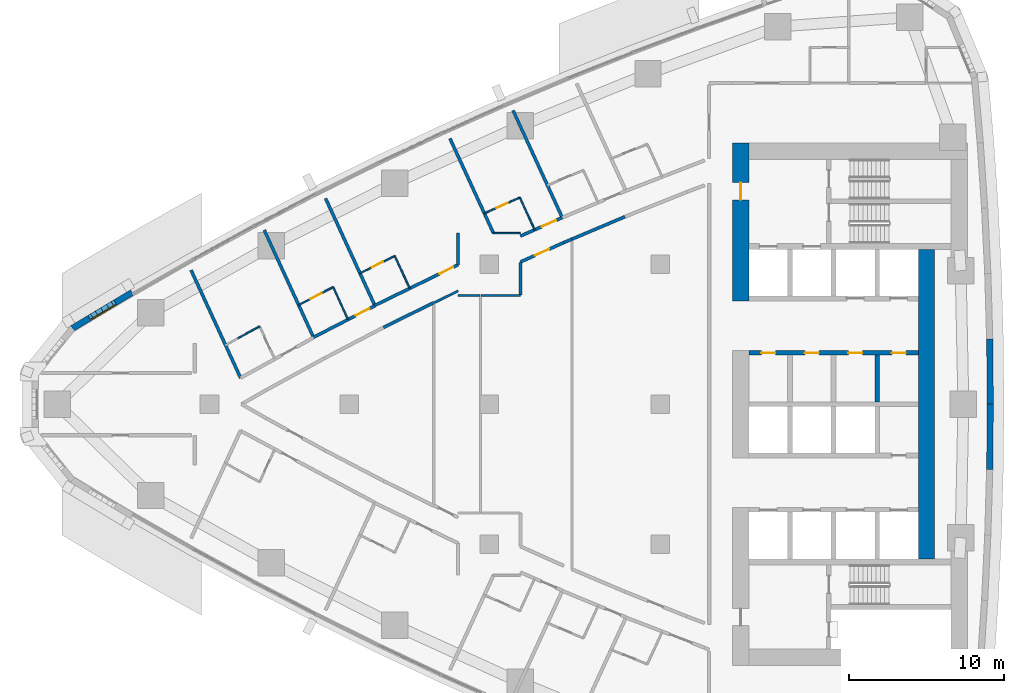
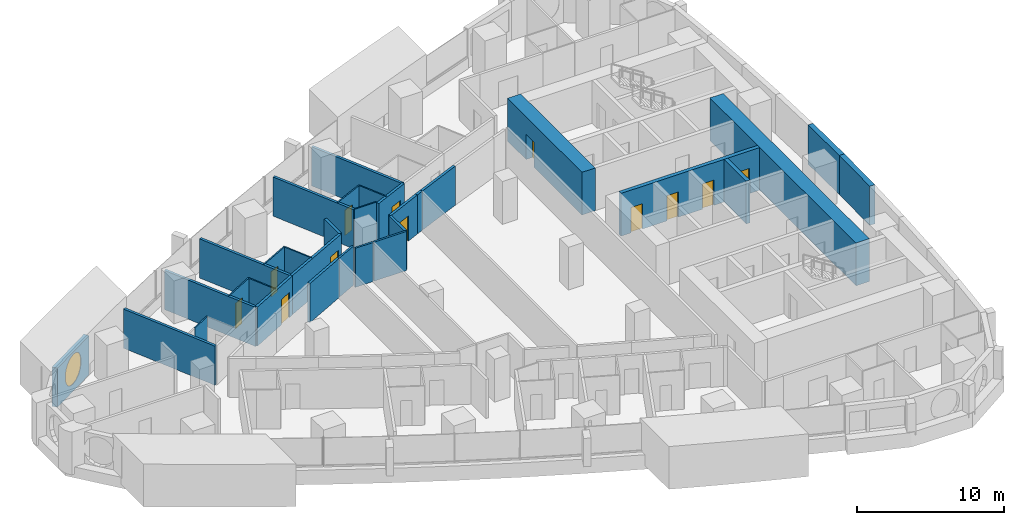
# One storey, part 11 of 17: 32 walls, 12 doors, 1 window, 13 openings.
"""IFC4 building model written with IfcOpenShell, lengths in metres."""

from ifc_helpers import new_model, si_unit, direction, frame, frame_2d, origin, place, context, subcontext, project, spatial, polyline, rectangle, outline, extrude, material, layer, layer_set, type_object, element, fill, save


model = new_model("IFC4")

# Units and contexts
model_context = context("Model", 3, precision=1e-05, world=origin(), true_north=direction((0.0, 1.0)))
body_context = subcontext(model_context, "Body", "Model", "MODEL_VIEW")
ifc_project = project(units=[si_unit("LENGTHUNIT", "METRE"), si_unit("AREAUNIT", "SQUARE_METRE"), si_unit("VOLUMEUNIT", "CUBIC_METRE"), si_unit("PLANEANGLEUNIT", "RADIAN"), si_unit("MASSUNIT", "GRAM", prefix="KILO")], contexts=[model_context])

# Site, building, storey
site_placement = place(None, origin())
site = spatial("IfcSite", under=ifc_project, at=site_placement, CompositionType="ELEMENT")
building_placement = place(site_placement, origin())
building = spatial("IfcBuilding", under=site, at=building_placement, Name="Ostrand Prow Hotel Tower", CompositionType="ELEMENT")
storey_placement = place(building_placement, frame((0.0, 0.0, 84.89990234375)))
storey = spatial("IfcBuildingStorey", under=building, at=storey_placement, Name="L19", CompositionType="ELEMENT", Elevation=84.89990234375)

# Wall, opening, door
ifc_material_1 = material(Name="Concrete C80/95", Category="concrete")
ifc_layer_1 = layer(ifc_material_1, 1.050048828125)
ifc_layer_set_1 = layer_set([ifc_layer_1], Name="Concrete C80/95")
wall_type_1 = type_object("IfcWallType", Name="Core wall 1050 C80/95", PredefinedType="SHEAR", material=ifc_layer_set_1)
wall_1_placement = place(storey_placement, frame((50.175048828125, 6.64990234375, 0.0), z_axis=(0.0, 0.0, 1.0), x_axis=(0.0, 1.0, 0.0)))
wall_1 = element("IfcWall", 1, at=wall_1_placement, inside=storey, type_object=wall_type_1, Name="Core wall CW-W-N", PredefinedType="SHEAR", context=body_context, shape_type="SweptSolid", body=[
    extrude(rectangle(XDim=10.150146484375, YDim=1.050048828125, at=frame_2d((5.0751953125, 0.0))), origin(), (0.0, 0.0, 1.0), 3.550048828125),
])
opening_1_placement = place(wall_1_placement, frame((6.5, 0.0, 0.0)))
opening_1 = element("IfcOpeningElement", 2, at=opening_1_placement, cuts=wall_1, Name="Opening FD1", PredefinedType="OPENING", context=body_context, shape_type="SweptSolid", body=[
    extrude(rectangle(XDim=1.10009765625, YDim=2.10009765625, at=frame_2d((0.550048828125, 1.050048828125))), frame((0.0, 0.534912109375, 0.0), z_axis=(0.0, -1.0, 0.0), x_axis=(1.0, 0.0, 0.0)), (0.0, 0.0, 1.0), 1.070068359375),
])
ifc_material_2 = material(Name="Steel fire door", Category="steel")
door_type_1 = type_object("IfcDoorType", Name="Fire door 1100 EI120", OperationType="SINGLE_SWING_RIGHT", PredefinedType="DOOR", material=ifc_material_2)
door_1_placement = place(opening_1_placement, origin())
door_1 = element("IfcDoor", 3, at=door_1_placement, inside=storey, type_object=door_type_1, Name="FIRE DOOR", OperationType="SINGLE_SWING_RIGHT", OverallHeight=2.10009765625, OverallWidth=1.10009765625, PredefinedType="DOOR", context=body_context, shape_type="SweptSolid", body=[
    extrude(rectangle(XDim=1.10009765625, YDim=2.10009765625, at=frame_2d((0.550048828125, 1.050048828125))), frame((0.0, 0.02490234375, 0.0), z_axis=(0.0, -1.0, 0.0), x_axis=(1.0, 0.0, 0.0)), (0.0, 0.0, 1.0), 0.050048828125),
])
fill(opening_1, door_1)

# Wall
wall_2_placement = place(storey_placement, frame((62.125, -9.949951171875, 0.0), z_axis=(0.0, 0.0, 1.0), x_axis=(0.0, 1.0, 0.0)))
element("IfcWall", 4, at=wall_2_placement, inside=storey, type_object=wall_type_1, Name="Core wall CW-E-C", PredefinedType="SHEAR", context=body_context, shape_type="SweptSolid", body=[
    extrude(rectangle(XDim=19.89990234375, YDim=1.050048828125, at=frame_2d((9.949951171875, 0.0))), origin(), (0.0, 0.0, 1.0), 3.550048828125),
])

# Wall, openings, doors
ifc_material_3 = material(Name="Concrete C80/95", Category="concrete")
ifc_layer_2 = layer(ifc_material_3, 0.300048828125)
ifc_layer_set_2 = layer_set([ifc_layer_2], Name="Concrete C80/95")
wall_type_2 = type_object("IfcWallType", Name="Core wall 300 C80/95", PredefinedType="SHEAR", material=ifc_layer_set_2)
wall_3_placement = place(storey_placement, frame((50.699951171875, 3.300048828125, 0.0), z_axis=(0.0, 0.0, 1.0), x_axis=(1.0, 0.0, 0.0)))
wall_3 = element("IfcWall", 5, at=wall_3_placement, inside=storey, type_object=wall_type_2, Name="Core wall PW-L1-N", PredefinedType="SHEAR", context=body_context, shape_type="SweptSolid", body=[
    extrude(rectangle(XDim=10.900146484375, YDim=0.300048828125, at=frame_2d((5.4501953125, 0.0))), origin(), (0.0, 0.0, 1.0), 3.550048828125),
])
opening_2_placement = place(wall_3_placement, frame((0.800048828125, 0.0, 0.0)))
opening_2 = element("IfcOpeningElement", 6, at=opening_2_placement, cuts=wall_3, Name="Opening FD2", PredefinedType="OPENING", context=body_context, shape_type="SweptSolid", body=[
    extrude(rectangle(XDim=0.89990234375, YDim=2.10009765625, at=frame_2d((0.449951171875, 1.050048828125))), frame((0.0, 0.159912109375, 0.0), z_axis=(0.0, -1.0, 0.0), x_axis=(1.0, 0.0, 0.0)), (0.0, 0.0, 1.0), 0.320068359375),
])
opening_3_placement = place(wall_3_placement, frame((3.60009765625, 0.0, 0.0)))
opening_3 = element("IfcOpeningElement", 7, at=opening_3_placement, cuts=wall_3, Name="Opening FD2", PredefinedType="OPENING", context=body_context, shape_type="SweptSolid", body=[
    extrude(rectangle(XDim=0.89990234375, YDim=2.10009765625, at=frame_2d((0.449951171875, 1.050048828125))), frame((0.0, 0.159912109375, 0.0), z_axis=(0.0, -1.0, 0.0), x_axis=(1.0, 0.0, 0.0)), (0.0, 0.0, 1.0), 0.320068359375),
])
opening_4_placement = place(wall_3_placement, frame((6.39990234375, 0.0, 0.0)))
opening_4 = element("IfcOpeningElement", 8, at=opening_4_placement, cuts=wall_3, Name="Opening FD2", PredefinedType="OPENING", context=body_context, shape_type="SweptSolid", body=[
    extrude(rectangle(XDim=0.89990234375, YDim=2.10009765625, at=frame_2d((0.449951171875, 1.050048828125))), frame((0.0, 0.159912109375, 0.0), z_axis=(0.0, -1.0, 0.0), x_axis=(1.0, 0.0, 0.0)), (0.0, 0.0, 1.0), 0.320068359375),
])
opening_5_placement = place(wall_3_placement, frame((9.199951171875, 0.0, 0.0)))
opening_5 = element("IfcOpeningElement", 9, at=opening_5_placement, cuts=wall_3, Name="Opening FD2", PredefinedType="OPENING", context=body_context, shape_type="SweptSolid", body=[
    extrude(rectangle(XDim=0.89990234375, YDim=2.10009765625, at=frame_2d((0.449951171875, 1.050048828125))), frame((0.0, 0.159912109375, 0.0), z_axis=(0.0, -1.0, 0.0), x_axis=(1.0, 0.0, 0.0)), (0.0, 0.0, 1.0), 0.320068359375),
])
ifc_material_4 = material(Name="Steel fire door", Category="steel")
door_type_2 = type_object("IfcDoorType", Name="Fire door 900 EI120", OperationType="SINGLE_SWING_LEFT", PredefinedType="DOOR", material=ifc_material_4)
door_2_placement = place(opening_2_placement, origin())
door_2 = element("IfcDoor", 10, at=door_2_placement, inside=storey, type_object=door_type_2, Name="DOOR", OperationType="SINGLE_SWING_LEFT", OverallHeight=2.10009765625, OverallWidth=0.89990234375, PredefinedType="DOOR", context=body_context, shape_type="SweptSolid", body=[
    extrude(rectangle(XDim=0.89990234375, YDim=2.10009765625, at=frame_2d((0.449951171875, 1.050048828125))), frame((0.0, 0.02490234375, 0.0), z_axis=(0.0, -1.0, 0.0), x_axis=(1.0, 0.0, 0.0)), (0.0, 0.0, 1.0), 0.050048828125),
])
fill(opening_2, door_2)
door_3_placement = place(opening_3_placement, origin())
door_3 = element("IfcDoor", 11, at=door_3_placement, inside=storey, type_object=door_type_2, Name="DOOR", OperationType="SINGLE_SWING_LEFT", OverallHeight=2.10009765625, OverallWidth=0.89990234375, PredefinedType="DOOR", context=body_context, shape_type="SweptSolid", body=[
    extrude(rectangle(XDim=0.89990234375, YDim=2.10009765625, at=frame_2d((0.449951171875, 1.050048828125))), frame((0.0, 0.02490234375, 0.0), z_axis=(0.0, -1.0, 0.0), x_axis=(1.0, 0.0, 0.0)), (0.0, 0.0, 1.0), 0.050048828125),
])
fill(opening_3, door_3)
door_4_placement = place(opening_4_placement, origin())
door_4 = element("IfcDoor", 12, at=door_4_placement, inside=storey, type_object=door_type_2, Name="DOOR", OperationType="SINGLE_SWING_LEFT", OverallHeight=2.10009765625, OverallWidth=0.89990234375, PredefinedType="DOOR", context=body_context, shape_type="SweptSolid", body=[
    extrude(rectangle(XDim=0.89990234375, YDim=2.10009765625, at=frame_2d((0.449951171875, 1.050048828125))), frame((0.0, 0.02490234375, 0.0), z_axis=(0.0, -1.0, 0.0), x_axis=(1.0, 0.0, 0.0)), (0.0, 0.0, 1.0), 0.050048828125),
])
fill(opening_4, door_4)
door_5_placement = place(opening_5_placement, origin())
door_5 = element("IfcDoor", 13, at=door_5_placement, inside=storey, type_object=door_type_2, Name="DOOR", OperationType="SINGLE_SWING_LEFT", OverallHeight=2.10009765625, OverallWidth=0.89990234375, PredefinedType="DOOR", context=body_context, shape_type="SweptSolid", body=[
    extrude(rectangle(XDim=0.89990234375, YDim=2.10009765625, at=frame_2d((0.449951171875, 1.050048828125))), frame((0.0, 0.02490234375, 0.0), z_axis=(0.0, -1.0, 0.0), x_axis=(1.0, 0.0, 0.0)), (0.0, 0.0, 1.0), 0.050048828125),
])
fill(opening_5, door_5)

# Walls
wall_4_placement = place(storey_placement, frame((58.949951171875, 0.14990234375, 0.0), z_axis=(0.0, 0.0, 1.0), x_axis=(0.0, 1.0, 0.0)))
element("IfcWall", 14, at=wall_4_placement, inside=storey, type_object=wall_type_2, Name="Core wall PW-R3-NB", PredefinedType="SHEAR", context=body_context, shape_type="SweptSolid", body=[
    extrude(rectangle(XDim=3.0, YDim=0.300048828125, at=frame_2d((1.5, 0.0))), origin(), (0.0, 0.0, 1.0), 3.550048828125),
])
ifc_material_5 = material(Name="Plasterboard partition")
ifc_layer_3 = layer(ifc_material_5, 0.10009765625)
ifc_layer_set_3 = layer_set([ifc_layer_3], Name="Plasterboard partition")
wall_type_3 = type_object("IfcWallType", Name="Partition 100 bathroom wall", PredefinedType="PARTITIONING", material=ifc_layer_set_3)
wall_5_placement = place(storey_placement, frame((17.80126953125, 4.228515625, 0.0), z_axis=(0.0, 0.0, 1.0), x_axis=(0.877424481957, 0.479714788663, 0.0)))
element("IfcWall", 15, at=wall_5_placement, inside=storey, type_object=wall_type_3, Name="BATHROOM WALL", PredefinedType="PARTITIONING", context=body_context, shape_type="SweptSolid", body=[
    extrude(rectangle(XDim=1.62548828125, YDim=0.10009765625, at=frame_2d((0.812744140625, 0.0))), origin(), (0.0, 0.0, 1.0), 3.25),
])

# Wall, opening, door
wall_6_placement = place(storey_placement, frame((21.737548828125, 6.377197265625, 0.0), z_axis=(0.0, 0.0, 1.0), x_axis=(0.886911586599, 0.461939214135, 0.0)))
wall_6 = element("IfcWall", 16, at=wall_6_placement, inside=storey, type_object=wall_type_3, Name="BATHROOM WALL", PredefinedType="PARTITIONING", context=body_context, shape_type="SweptSolid", body=[
    extrude(rectangle(XDim=2.5029296875, YDim=0.10009765625, at=frame_2d((1.25146484375, 0.0))), origin(), (0.0, 0.0, 1.0), 3.25),
])
opening_6_placement = place(wall_6_placement, frame((0.85009765625, 0.0, 0.0)))
opening_6 = element("IfcOpeningElement", 17, at=opening_6_placement, cuts=wall_6, Name="Opening D2", PredefinedType="OPENING", context=body_context, shape_type="SweptSolid", body=[
    extrude(rectangle(XDim=0.800048828125, YDim=2.10009765625, at=frame_2d((0.39990234375, 1.050048828125))), frame((0.0, 0.06005859375, 0.0), z_axis=(0.0, -1.0, 0.0), x_axis=(1.0, 0.0, 0.0)), (0.0, 0.0, 1.0), 0.1201171875),
])
ifc_material_6 = material(Name="Timber door leaf", Category="wood")
door_type_3 = type_object("IfcDoorType", Name="Bathroom door 800", OperationType="SINGLE_SWING_LEFT", PredefinedType="DOOR", material=ifc_material_6)
door_6_placement = place(opening_6_placement, origin())
door_6 = element("IfcDoor", 18, at=door_6_placement, inside=storey, type_object=door_type_3, Name="DOOR", OperationType="SINGLE_SWING_LEFT", OverallHeight=2.10009765625, OverallWidth=0.800048828125, PredefinedType="DOOR", context=body_context, shape_type="SweptSolid", body=[
    extrude(rectangle(XDim=0.800048828125, YDim=2.10009765625, at=frame_2d((0.39990234375, 1.050048828125))), frame((0.0, 0.02490234375, 0.0), z_axis=(0.0, -1.0, 0.0), x_axis=(1.0, 0.0, 0.0)), (0.0, 0.0, 1.0), 0.050048828125),
])
fill(opening_6, door_6)

# Wall
wall_7_placement = place(storey_placement, frame((23.95751953125, 7.533447265625, 0.0), z_axis=(0.0, 0.0, 1.0), x_axis=(0.417454762401, -0.908697706253, 0.0)))
element("IfcWall", 19, at=wall_7_placement, inside=storey, type_object=wall_type_3, Name="BATHROOM WALL", PredefinedType="PARTITIONING", context=body_context, shape_type="SweptSolid", body=[
    extrude(rectangle(XDim=2.27978515625, YDim=0.10009765625, at=frame_2d((1.139892578125, 0.0))), origin(), (0.0, 0.0, 1.0), 3.25),
])

# Wall, opening, door
wall_8_placement = place(storey_placement, frame((25.680908203125, 8.42578125, 0.0), z_axis=(0.0, 0.0, 1.0), x_axis=(0.895944857815, 0.444165297784, 0.0)))
wall_8 = element("IfcWall", 20, at=wall_8_placement, inside=storey, type_object=wall_type_3, Name="BATHROOM WALL", PredefinedType="PARTITIONING", context=body_context, shape_type="SweptSolid", body=[
    extrude(rectangle(XDim=2.5009765625, YDim=0.10009765625, at=frame_2d((1.25048828125, 0.0))), origin(), (0.0, 0.0, 1.0), 3.25),
])
opening_7_placement = place(wall_8_placement, frame((0.85009765625, 0.0, 0.0)))
opening_7 = element("IfcOpeningElement", 21, at=opening_7_placement, cuts=wall_8, Name="Opening D2", PredefinedType="OPENING", context=body_context, shape_type="SweptSolid", body=[
    extrude(rectangle(XDim=0.800048828125, YDim=2.10009765625, at=frame_2d((0.39990234375, 1.050048828125))), frame((0.0, 0.06005859375, 0.0), z_axis=(0.0, -1.0, 0.0), x_axis=(1.0, 0.0, 0.0)), (0.0, 0.0, 1.0), 0.1201171875),
])
door_7_placement = place(opening_7_placement, origin())
door_7 = element("IfcDoor", 22, at=door_7_placement, inside=storey, type_object=door_type_3, Name="DOOR", OperationType="SINGLE_SWING_LEFT", OverallHeight=2.10009765625, OverallWidth=0.800048828125, PredefinedType="DOOR", context=body_context, shape_type="SweptSolid", body=[
    extrude(rectangle(XDim=0.800048828125, YDim=2.10009765625, at=frame_2d((0.39990234375, 1.050048828125))), frame((0.0, 0.02490234375, 0.0), z_axis=(0.0, -1.0, 0.0), x_axis=(1.0, 0.0, 0.0)), (0.0, 0.0, 1.0), 0.050048828125),
])
fill(opening_7, door_7)

# Wall
wall_9_placement = place(storey_placement, frame((27.921630859375, 9.53662109375, 0.0), z_axis=(0.0, 0.0, 1.0), x_axis=(0.417433204355, -0.908707609686, 0.0)))
element("IfcWall", 23, at=wall_9_placement, inside=storey, type_object=wall_type_3, Name="BATHROOM WALL", PredefinedType="PARTITIONING", context=body_context, shape_type="SweptSolid", body=[
    extrude(rectangle(XDim=2.278076171875, YDim=0.10009765625, at=frame_2d((1.13916015625, 0.0))), origin(), (0.0, 0.0, 1.0), 3.25),
])

# Wall, opening, door
wall_10_placement = place(storey_placement, frame((33.68408203125, 12.277099609375, 0.0), z_axis=(0.0, 0.0, 1.0), x_axis=(0.913016449487, 0.407922741417, 0.0)))
wall_10 = element("IfcWall", 24, at=wall_10_placement, inside=storey, type_object=wall_type_3, Name="BATHROOM WALL", PredefinedType="PARTITIONING", context=body_context, shape_type="SweptSolid", body=[
    extrude(rectangle(XDim=2.5, YDim=0.10009765625, at=frame_2d((1.25, 0.0))), origin(), (0.0, 0.0, 1.0), 3.25),
])
opening_8_placement = place(wall_10_placement, frame((0.85009765625, 0.0, 0.0)))
opening_8 = element("IfcOpeningElement", 25, at=opening_8_placement, cuts=wall_10, Name="Opening D2", PredefinedType="OPENING", context=body_context, shape_type="SweptSolid", body=[
    extrude(rectangle(XDim=0.800048828125, YDim=2.10009765625, at=frame_2d((0.39990234375, 1.050048828125))), frame((0.0, 0.06005859375, 0.0), z_axis=(0.0, -1.0, 0.0), x_axis=(1.0, 0.0, 0.0)), (0.0, 0.0, 1.0), 0.1201171875),
])
door_8_placement = place(opening_8_placement, origin())
door_8 = element("IfcDoor", 26, at=door_8_placement, inside=storey, type_object=door_type_3, Name="DOOR", OperationType="SINGLE_SWING_LEFT", OverallHeight=2.10009765625, OverallWidth=0.800048828125, PredefinedType="DOOR", context=body_context, shape_type="SweptSolid", body=[
    extrude(rectangle(XDim=0.800048828125, YDim=2.10009765625, at=frame_2d((0.39990234375, 1.050048828125))), frame((0.0, 0.02490234375, 0.0), z_axis=(0.0, -1.0, 0.0), x_axis=(1.0, 0.0, 0.0)), (0.0, 0.0, 1.0), 0.050048828125),
])
fill(opening_8, door_8)

# Walls
wall_11_placement = place(storey_placement, frame((35.966796875, 13.296875, 0.0), z_axis=(0.0, 0.0, 1.0), x_axis=(0.417378147321, -0.908732899228, 0.0)))
element("IfcWall", 27, at=wall_11_placement, inside=storey, type_object=wall_type_3, Name="BATHROOM WALL", PredefinedType="PARTITIONING", context=body_context, shape_type="SweptSolid", body=[
    extrude(rectangle(XDim=2.277099609375, YDim=0.10009765625, at=frame_2d((1.138671875, 0.0))), origin(), (0.0, 0.0, 1.0), 3.25),
])
wall_12_placement = place(storey_placement, frame((36.00048828125, 11.0048828125, 0.0), z_axis=(0.0, 0.0, 1.0), x_axis=(-1.0, 0.0, 0.0)))
element("IfcWall", 28, at=wall_12_placement, inside=storey, type_object=wall_type_3, Name="BATHROOM WALL", PredefinedType="PARTITIONING", context=body_context, shape_type="SweptSolid", body=[
    extrude(rectangle(XDim=1.732177734375, YDim=0.10009765625, at=frame_2d((0.8662109375, 0.0))), origin(), (0.0, 0.0, 1.0), 3.25),
])
ifc_material_7 = material(Name="Plasterboard partition")
ifc_layer_4 = layer(ifc_material_7, 0.14990234375)
ifc_layer_set_4 = layer_set([ifc_layer_4], Name="Plasterboard partition")
wall_type_4 = type_object("IfcWallType", Name="Partition 150 room partition", PredefinedType="PARTITIONING", material=ifc_layer_set_4)
wall_13_placement = place(storey_placement, frame((30.4697265625, 6.536376953125, 0.0), z_axis=(0.0, 0.0, 1.0), x_axis=(0.897735805555, 0.440534247732, 0.0)))
element("IfcWall", 29, at=wall_13_placement, inside=storey, type_object=wall_type_4, Name="ROOM PARTITION", PredefinedType="PARTITIONING", context=body_context, shape_type="SweptSolid", body=[
    extrude(rectangle(XDim=1.69921875, YDim=0.14990234375, at=frame_2d((0.849609375, 0.0))), origin(), (0.0, 0.0, 1.0), 3.25),
])
wall_14_placement = place(storey_placement, frame((31.9990234375, 6.9951171875, 0.0), z_axis=(0.0, 0.0, 1.0), x_axis=(1.0, 0.0, 0.0)))
element("IfcWall", 30, at=wall_14_placement, inside=storey, type_object=wall_type_4, Name="ROOM PARTITION", PredefinedType="PARTITIONING", context=body_context, shape_type="SweptSolid", body=[
    extrude(rectangle(XDim=1.390625, YDim=0.14990234375, at=frame_2d((0.6953125, 0.0))), origin(), (0.0, 0.0, 1.0), 3.25),
])
wall_15_placement = place(storey_placement, frame((33.4697265625, 6.9951171875, 0.0), z_axis=(0.0, 0.0, 1.0), x_axis=(0.999999958194, 0.000289156614, 0.0)))
element("IfcWall", 31, at=wall_15_placement, inside=storey, type_object=wall_type_4, Name="ROOM PARTITION", PredefinedType="PARTITIONING", context=body_context, shape_type="SweptSolid", body=[
    extrude(rectangle(XDim=2.532958984375, YDim=0.14990234375, at=frame_2d((1.2666015625, 0.0))), origin(), (0.0, 0.0, 1.0), 3.25),
])

# Wall, opening, door
ifc_material_8 = material(Name="Plasterboard partition")
ifc_layer_5 = layer(ifc_material_8, 0.199951171875)
ifc_layer_set_5 = layer_set([ifc_layer_5], Name="Plasterboard partition")
wall_type_5 = type_object("IfcWallType", Name="Partition 200 corridor wall", PredefinedType="PARTITIONING", material=ifc_layer_set_5)
wall_16_placement = place(storey_placement, frame((22.6904296875, 4.302490234375, 0.0), z_axis=(0.0, 0.0, 1.0), x_axis=(0.889236075961, 0.457448577667, 0.0)))
wall_16 = element("IfcWall", 32, at=wall_16_placement, inside=storey, type_object=wall_type_5, Name="CORRIDOR WALL", PredefinedType="PARTITIONING", context=body_context, shape_type="SweptSolid", body=[
    extrude(rectangle(XDim=4.443115234375, YDim=0.199951171875, at=frame_2d((2.2216796875, 0.0))), origin(), (0.0, 0.0, 1.0), 3.25),
])
opening_9_placement = place(wall_16_placement, frame((3.050048828125, 0.0, 0.0)))
opening_9 = element("IfcOpeningElement", 33, at=opening_9_placement, cuts=wall_16, Name="Opening D1R", PredefinedType="OPENING", context=body_context, shape_type="SweptSolid", body=[
    extrude(rectangle(XDim=1.0, YDim=2.10009765625, at=frame_2d((0.5, 1.050048828125))), frame((0.0, 0.10986328125, 0.0), z_axis=(0.0, -1.0, 0.0), x_axis=(1.0, 0.0, 0.0)), (0.0, 0.0, 1.0), 0.219970703125),
])
ifc_material_9 = material(Name="Timber door leaf", Category="wood")
door_type_4 = type_object("IfcDoorType", Name="Guest room door 1000 right", OperationType="SINGLE_SWING_RIGHT", PredefinedType="DOOR", material=ifc_material_9)
door_9_placement = place(opening_9_placement, origin())
door_9 = element("IfcDoor", 34, at=door_9_placement, inside=storey, type_object=door_type_4, Name="DOOR", OperationType="SINGLE_SWING_RIGHT", OverallHeight=2.10009765625, OverallWidth=1.0, PredefinedType="DOOR", context=body_context, shape_type="SweptSolid", body=[
    extrude(rectangle(XDim=1.0, YDim=2.10009765625, at=frame_2d((0.5, 1.050048828125))), frame((0.0, 0.02490234375, 0.0), z_axis=(0.0, -1.0, 0.0), x_axis=(1.0, 0.0, 0.0)), (0.0, 0.0, 1.0), 0.050048828125),
])
fill(opening_9, door_9)

wall_17_placement = place(storey_placement, frame((32.0, 8.972900390625, 0.0), z_axis=(0.0, 0.0, 1.0), x_axis=(-0.898654091263, -0.438657980956, 0.0)))
wall_17 = element("IfcWall", 35, at=wall_17_placement, inside=storey, type_object=wall_type_5, Name="CORRIDOR WALL", PredefinedType="PARTITIONING", context=body_context, shape_type="SweptSolid", body=[
    extrude(rectangle(XDim=5.972412109375, YDim=0.199951171875, at=frame_2d((2.986328125, 0.0))), origin(), (0.0, 0.0, 1.0), 3.25),
])
opening_10_placement = place(wall_17_placement, frame((0.35009765625, 0.0, 0.0)))
opening_10 = element("IfcOpeningElement", 36, at=opening_10_placement, cuts=wall_17, Name="Opening D1R", PredefinedType="OPENING", context=body_context, shape_type="SweptSolid", body=[
    extrude(rectangle(XDim=1.0, YDim=2.10009765625, at=frame_2d((0.5, 1.050048828125))), frame((0.0, 0.10986328125, 0.0), z_axis=(0.0, -1.0, 0.0), x_axis=(1.0, 0.0, 0.0)), (0.0, 0.0, 1.0), 0.219970703125),
])
door_10_placement = place(opening_10_placement, origin())
door_10 = element("IfcDoor", 37, at=door_10_placement, inside=storey, type_object=door_type_4, Name="DOOR", OperationType="SINGLE_SWING_RIGHT", OverallHeight=2.10009765625, OverallWidth=1.0, PredefinedType="DOOR", context=body_context, shape_type="SweptSolid", body=[
    extrude(rectangle(XDim=1.0, YDim=2.10009765625, at=frame_2d((0.5, 1.050048828125))), frame((0.0, 0.02490234375, 0.0), z_axis=(0.0, -1.0, 0.0), x_axis=(1.0, 0.0, 0.0)), (0.0, 0.0, 1.0), 0.050048828125),
])
fill(opening_10, door_10)

wall_18_placement = place(storey_placement, frame((38.696044921875, 12.0068359375, 0.0), z_axis=(0.0, 0.0, 1.0), x_axis=(-0.914578343518, -0.404408770389, 0.0)))
wall_18 = element("IfcWall", 38, at=wall_18_placement, inside=storey, type_object=wall_type_5, Name="CORRIDOR WALL", PredefinedType="PARTITIONING", context=body_context, shape_type="SweptSolid", body=[
    extrude(rectangle(XDim=2.94775390625, YDim=0.199951171875, at=frame_2d((1.473876953125, 0.0))), origin(), (0.0, 0.0, 1.0), 3.25),
])
opening_11_placement = place(wall_18_placement, frame((0.449951171875, 0.0, 0.0)))
opening_11 = element("IfcOpeningElement", 39, at=opening_11_placement, cuts=wall_18, Name="Opening D1R", PredefinedType="OPENING", context=body_context, shape_type="SweptSolid", body=[
    extrude(rectangle(XDim=1.0, YDim=2.10009765625, at=frame_2d((0.5, 1.050048828125))), frame((0.0, 0.10986328125, 0.0), z_axis=(0.0, -1.0, 0.0), x_axis=(1.0, 0.0, 0.0)), (0.0, 0.0, 1.0), 0.219970703125),
])
door_11_placement = place(opening_11_placement, origin())
door_11 = element("IfcDoor", 40, at=door_11_placement, inside=storey, type_object=door_type_4, Name="DOOR", OperationType="SINGLE_SWING_RIGHT", OverallHeight=2.10009765625, OverallWidth=1.0, PredefinedType="DOOR", context=body_context, shape_type="SweptSolid", body=[
    extrude(rectangle(XDim=1.0, YDim=2.10009765625, at=frame_2d((0.5, 1.050048828125))), frame((0.0, 0.02490234375, 0.0), z_axis=(0.0, -1.0, 0.0), x_axis=(1.0, 0.0, 0.0)), (0.0, 0.0, 1.0), 0.050048828125),
])
fill(opening_11, door_11)

# Wall
wall_19_placement = place(storey_placement, frame((27.1962890625, 4.935791015625, 0.0), z_axis=(0.0, 0.0, 1.0), x_axis=(0.895964304417, 0.44412606905, 0.0)))
element("IfcWall", 41, at=wall_19_placement, inside=storey, type_object=wall_type_5, Name="CORRIDOR WALL", PredefinedType="PARTITIONING", context=body_context, shape_type="SweptSolid", body=[
    extrude(rectangle(XDim=3.60888671875, YDim=0.199951171875, at=frame_2d((1.804443359375, 0.0))), origin(), (0.0, 0.0, 1.0), 3.25),
])

# Wall, opening, door
wall_20_placement = place(storey_placement, frame((36.0, 9.14990234375, 0.0), z_axis=(0.0, 0.0, 1.0), x_axis=(0.913029587861, 0.407893333716, 0.0)))
wall_20 = element("IfcWall", 42, at=wall_20_placement, inside=storey, type_object=wall_type_5, Name="CORRIDOR WALL", PredefinedType="PARTITIONING", context=body_context, shape_type="SweptSolid", body=[
    extrude(rectangle(XDim=3.057861328125, YDim=0.199951171875, at=frame_2d((1.52880859375, 0.0))), origin(), (0.0, 0.0, 1.0), 3.25),
])
opening_12_placement = place(wall_20_placement, frame((1.029052734375, 0.0, 0.0)))
opening_12 = element("IfcOpeningElement", 43, at=opening_12_placement, cuts=wall_20, Name="Opening D1", PredefinedType="OPENING", context=body_context, shape_type="SweptSolid", body=[
    extrude(rectangle(XDim=1.0, YDim=2.10009765625, at=frame_2d((0.5, 1.050048828125))), frame((0.0, 0.10986328125, 0.0), z_axis=(0.0, -1.0, 0.0), x_axis=(1.0, 0.0, 0.0)), (0.0, 0.0, 1.0), 0.219970703125),
])
ifc_material_10 = material(Name="Timber door leaf", Category="wood")
door_type_5 = type_object("IfcDoorType", Name="Guest room door 1000", OperationType="SINGLE_SWING_LEFT", PredefinedType="DOOR", material=ifc_material_10)
door_12_placement = place(opening_12_placement, origin())
door_12 = element("IfcDoor", 44, at=door_12_placement, inside=storey, type_object=door_type_5, Name="DOOR", OperationType="SINGLE_SWING_LEFT", OverallHeight=2.10009765625, OverallWidth=1.0, PredefinedType="DOOR", context=body_context, shape_type="SweptSolid", body=[
    extrude(rectangle(XDim=1.0, YDim=2.10009765625, at=frame_2d((0.5, 1.050048828125))), frame((0.0, 0.02490234375, 0.0), z_axis=(0.0, -1.0, 0.0), x_axis=(1.0, 0.0, 0.0)), (0.0, 0.0, 1.0), 0.050048828125),
])
fill(opening_12, door_12)

# Walls
wall_21_placement = place(storey_placement, frame((39.31787109375, 10.619384765625, 0.0), z_axis=(0.0, 0.0, 1.0), x_axis=(0.92101730011, 0.389521671923, 0.0)))
element("IfcWall", 45, at=wall_21_placement, inside=storey, type_object=wall_type_5, Name="CORRIDOR WALL", PredefinedType="PARTITIONING", context=body_context, shape_type="SweptSolid", body=[
    extrude(rectangle(XDim=3.702392578125, YDim=0.199951171875, at=frame_2d((1.85107421875, 0.0))), origin(), (0.0, 0.0, 1.0), 3.25),
])
wall_22_placement = place(storey_placement, frame((36.002685546875, 7.035888671875, 0.0), z_axis=(0.0, 0.0, 1.0), x_axis=(0.00105932144, 0.999999438919, 0.0)))
element("IfcWall", 46, at=wall_22_placement, inside=storey, type_object=wall_type_5, Name="CORRIDOR WALL", PredefinedType="PARTITIONING", context=body_context, shape_type="SweptSolid", body=[
    extrude(rectangle(XDim=2.07421875, YDim=0.199951171875, at=frame_2d((1.037109375, 0.0))), origin(), (0.0, 0.0, 1.0), 3.25),
])
wall_23_placement = place(storey_placement, frame((31.997314453125, 11.004150390625, 0.0), z_axis=(0.0, 0.0, 1.0), x_axis=(0.001322114229, -0.999999126007, 0.0)))
element("IfcWall", 47, at=wall_23_placement, inside=storey, type_object=wall_type_5, Name="CORRIDOR WALL", PredefinedType="PARTITIONING", context=body_context, shape_type="SweptSolid", body=[
    extrude(rectangle(XDim=2.03125, YDim=0.199951171875, at=frame_2d((1.015625, 0.0))), origin(), (0.0, 0.0, 1.0), 3.25),
])
wall_24_placement = place(storey_placement, frame((38.7919921875, 10.397216796875, 0.0), z_axis=(0.0, 0.0, 1.0), x_axis=(0.921167809953, 0.389165602162, 0.0)))
element("IfcWall", 48, at=wall_24_placement, inside=storey, type_object=wall_type_5, Name="CORRIDOR WALL", PredefinedType="PARTITIONING", context=body_context, shape_type="SweptSolid", body=[
    extrude(rectangle(XDim=0.57080078125, YDim=0.199951171875, at=frame_2d((0.285400390625, 0.0))), origin(), (0.0, 0.0, 1.0), 3.25),
])
ifc_material_11 = material(Name="Plasterboard partition")
ifc_layer_6 = layer(ifc_material_11, 0.199951171875)
ifc_layer_set_6 = layer_set([ifc_layer_6], Name="Plasterboard partition")
wall_type_6 = type_object("IfcWallType", Name="Partition 200 key partition", PredefinedType="PARTITIONING", material=ifc_layer_set_6)
wall_25_placement = place(storey_placement, frame((14.814697265625, 8.625732421875, 0.0), z_axis=(0.0, 0.0, 1.0), x_axis=(0.417432341259, -0.908708006166, 0.0)))
element("IfcWall", 49, at=wall_25_placement, inside=storey, type_object=wall_type_6, Name="KEY PARTITION", PredefinedType="PARTITIONING", context=body_context, shape_type="SweptSolid", body=[
    extrude(rectangle(XDim=7.630615234375, YDim=0.199951171875, at=frame_2d((3.8154296875, 0.0))), origin(), (0.0, 0.0, 1.0), 3.25),
])
wall_26_placement = place(storey_placement, frame((22.69873046875, 4.284423828125, 0.0), z_axis=(0.0, 0.0, 1.0), x_axis=(-0.417413534969, 0.908716644959, 0.0)))
element("IfcWall", 50, at=wall_26_placement, inside=storey, type_object=wall_type_6, Name="KEY PARTITION", PredefinedType="PARTITIONING", context=body_context, shape_type="SweptSolid", body=[
    extrude(rectangle(XDim=7.609375, YDim=0.199951171875, at=frame_2d((3.8046875, 0.0))), origin(), (0.0, 0.0, 1.0), 3.25),
])
wall_27_placement = place(storey_placement, frame((26.641357421875, 6.3349609375, 0.0), z_axis=(0.0, 0.0, 1.0), x_axis=(-0.417455028008, 0.908697584233, 0.0)))
element("IfcWall", 51, at=wall_27_placement, inside=storey, type_object=wall_type_6, Name="KEY PARTITION", PredefinedType="PARTITIONING", context=body_context, shape_type="SweptSolid", body=[
    extrude(rectangle(XDim=7.603271484375, YDim=0.199951171875, at=frame_2d((3.8017578125, 0.0))), origin(), (0.0, 0.0, 1.0), 3.25),
])
wall_28_placement = place(storey_placement, frame((34.2705078125, 11.0, 0.0), z_axis=(0.0, 0.0, 1.0), x_axis=(-0.417420546123, 0.908713424394, 0.0)))
element("IfcWall", 52, at=wall_28_placement, inside=storey, type_object=wall_type_6, Name="KEY PARTITION", PredefinedType="PARTITIONING", context=body_context, shape_type="SweptSolid", body=[
    extrude(rectangle(XDim=6.70556640625, YDim=0.199951171875, at=frame_2d((3.352783203125, 0.0))), origin(), (0.0, 0.0, 1.0), 3.25),
])
wall_29_placement = place(storey_placement, frame((38.704345703125, 11.988525390625, 0.0), z_axis=(0.0, 0.0, 1.0), x_axis=(-0.417416334044, 0.908715359215, 0.0)))
element("IfcWall", 53, at=wall_29_placement, inside=storey, type_object=wall_type_6, Name="KEY PARTITION", PredefinedType="PARTITIONING", context=body_context, shape_type="SweptSolid", body=[
    extrude(rectangle(XDim=7.603515625, YDim=0.199951171875, at=frame_2d((3.8017578125, 0.0))), origin(), (0.0, 0.0, 1.0), 3.25),
])

# Wall, opening, window
ifc_material_12 = material(Name="Precast concrete C40/50", Category="concrete")
ifc_layer_7 = layer(ifc_material_12, 0.39990234375)
ifc_layer_set_7 = layer_set([ifc_layer_7], Name="Precast concrete C40/50")
wall_type_7 = type_object("IfcWallType", Name="Stone-faced precast wall 400 mm", PredefinedType="NOTDEFINED", material=ifc_layer_set_7)
wall_30_placement = place(storey_placement, frame((11.02587890625, 7.18603515625, 0.0), z_axis=(0.0, 0.0, 1.0), x_axis=(-0.857550776474, -0.514399325202, 0.0)))
wall_30 = element("IfcWall", 54, at=wall_30_placement, inside=storey, type_object=wall_type_7, Name="Stone-faced wall prow 1", PredefinedType="NOTDEFINED", context=body_context, shape_type="SweptSolid", body=[
    extrude(outline(polyline([(0.0, -0.199951171875), (4.50341796875, -0.199951171875), (4.4326171875, 0.199951171875), (0.0, 0.199951171875), (0.0, -0.199951171875)])), origin(), (0.0, 0.0, 1.0), 3.25),
])
opening_13_placement = place(wall_30_placement, frame((1.134033203125, 0.0, 0.60009765625)))
opening_13 = element("IfcOpeningElement", 55, at=opening_13_placement, cuts=wall_30, Name="Opening WP1", PredefinedType="OPENING", context=body_context, shape_type="SweptSolid", body=[
    extrude(outline(polyline([(0.0, 1.35009765625), (0.083740234375, 1.77099609375), (0.322265625, 2.127685546875), (0.678955078125, 2.3662109375), (1.10009765625, 2.449951171875), (1.52099609375, 2.3662109375), (1.877685546875, 2.127685546875), (2.1162109375, 1.77099609375), (2.199951171875, 1.35009765625), (2.199951171875, 1.10009765625), (2.1162109375, 0.678955078125), (1.877685546875, 0.322265625), (1.52099609375, 0.083740234375), (1.10009765625, 0.0), (0.678955078125, 0.083740234375), (0.322265625, 0.322265625), (0.083740234375, 0.678955078125), (0.0, 1.099853515625), (0.0, 1.35009765625)])), frame((0.0, 0.2099609375, 0.0), z_axis=(0.0, -1.0, 0.0), x_axis=(1.0, 0.0, 0.0)), (0.0, 0.0, 1.0), 0.419921875),
])
ifc_material_13 = material(Name="Insulated glass in bronze frame", Category="glass")
window_type = type_object("IfcWindowType", Name="Round-ended prow window 2200x2450", PartitioningType="SINGLE_PANEL", PredefinedType="WINDOW", material=ifc_material_13)
window_placement = place(opening_13_placement, origin())
window = element("IfcWindow", 56, at=window_placement, inside=storey, type_object=window_type, Name="Window prow 1.1", OverallHeight=2.449951171875, OverallWidth=2.199951171875, PartitioningType="SINGLE_PANEL", PredefinedType="WINDOW", context=body_context, shape_type="SweptSolid", body=[
    extrude(outline(polyline([(0.0, 1.35009765625), (0.083740234375, 1.77099609375), (0.322265625, 2.127685546875), (0.678955078125, 2.3662109375), (1.10009765625, 2.449951171875), (1.52099609375, 2.3662109375), (1.877685546875, 2.127685546875), (2.1162109375, 1.77099609375), (2.199951171875, 1.35009765625), (2.199951171875, 1.10009765625), (2.1162109375, 0.678955078125), (1.877685546875, 0.322265625), (1.52099609375, 0.083740234375), (1.10009765625, 0.0), (0.678955078125, 0.083740234375), (0.322265625, 0.322265625), (0.083740234375, 0.678955078125), (0.0, 1.099853515625), (0.0, 1.35009765625)])), frame((0.0, 0.169921875, 0.0), z_axis=(0.0, -1.0, 0.0), x_axis=(1.0, 0.0, 0.0)), (0.0, 0.0, 1.0), 0.06005859375),
])
fill(opening_13, window)

# Walls
for number, where, z_axis, x_axis, name in (
    (57, (66.193603515625, -4.20654296875, 0.0), (0.0, 0.0, 1.0), (0.00969194175, 0.99995303203, 0.0), "Stone-faced wall back 9"),
    (58, (66.234375, 0.0, 0.0), (0.0, 0.0, 1.0), (-0.00969194175, 0.99995303203, 0.0), "Stone-faced wall back 10"),
):
    element("IfcWall", number, at=place(storey_placement, frame(where, z_axis=z_axis, x_axis=x_axis)), inside=storey, type_object=wall_type_7, Name=name, PredefinedType="NOTDEFINED", context=body_context, shape_type="SweptSolid", body=[
        extrude(outline(polyline([(-0.001953125, -0.199951171875), (4.208740234375, -0.199951171875), (4.204833984375, 0.199951171875), (0.001953125, 0.199951171875), (-0.001953125, -0.199951171875)])), origin(), (0.0, 0.0, 1.0), 3.25),
    ])

save(model, "model.ifc")
